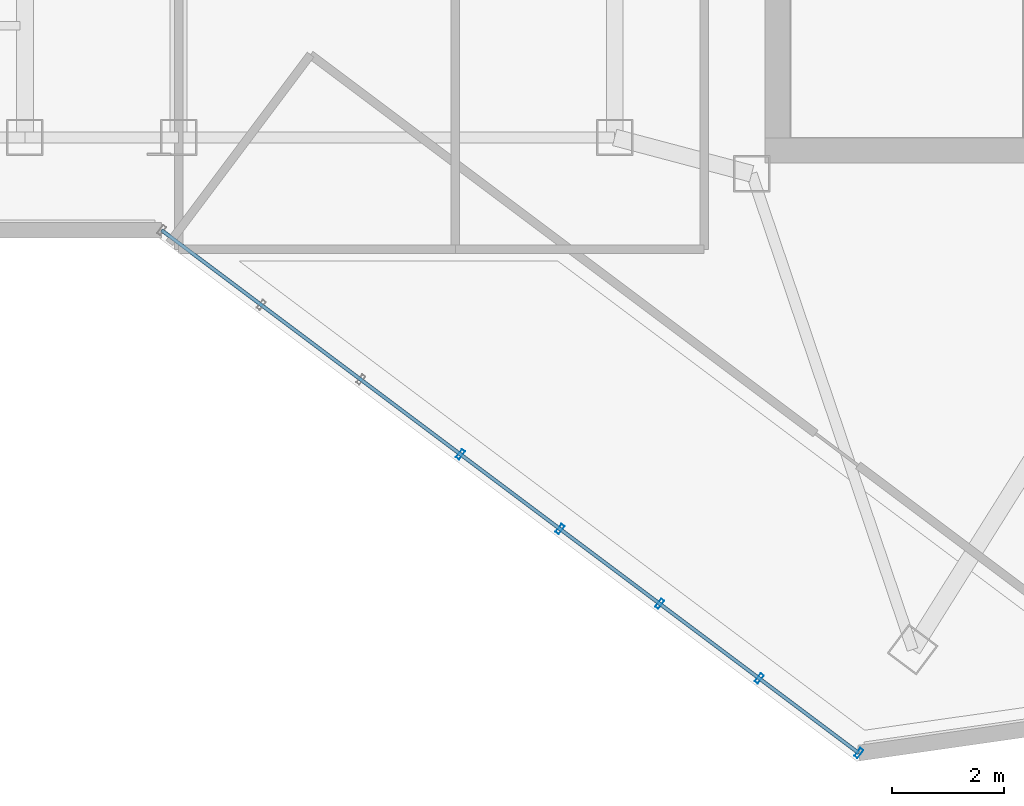
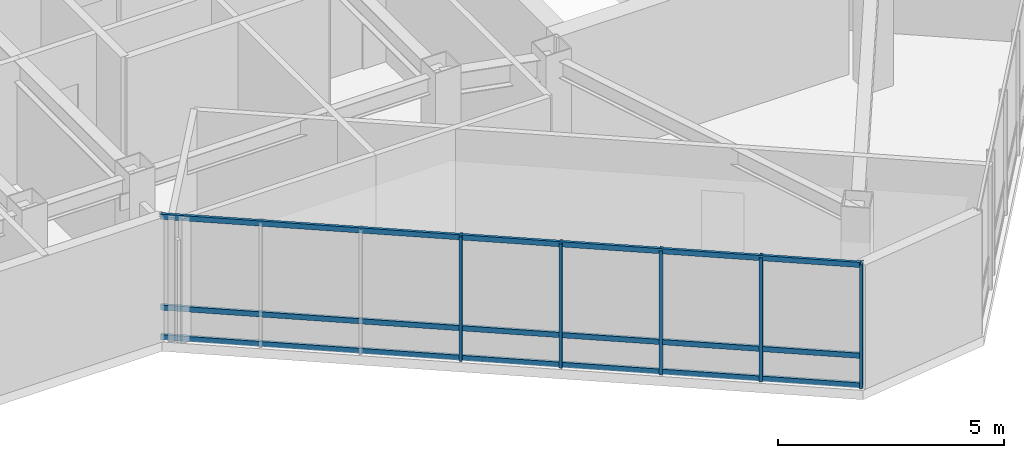
# One storey, part 5 of 21: 8 members, 1 element without a shape of its own.
"""IFC4 building model written with IfcOpenShell, lengths in metres."""

from ifc_helpers import new_model, si_unit, direction, frame, origin, origin_2d, place, context, subcontext, project, spatial, hollow_rectangle, extrude, material, layer, layer_set, material_profile, profile_set, type_object, element, aggregate, save


model = new_model("IFC4")

# Units and contexts
model_context = context("Model", 3, precision=1e-05, world=origin(), true_north=direction((0.0, 1.0)))
body_context = subcontext(model_context, "Body", "Model", "MODEL_VIEW")
ifc_project = project(units=[si_unit("LENGTHUNIT", "METRE"), si_unit("AREAUNIT", "SQUARE_METRE"), si_unit("VOLUMEUNIT", "CUBIC_METRE"), si_unit("PLANEANGLEUNIT", "RADIAN"), si_unit("MASSUNIT", "GRAM", prefix="KILO")], contexts=[model_context])

# Site, building, storey
site_placement = place(None, origin())
site = spatial("IfcSite", under=ifc_project, at=site_placement, CompositionType="ELEMENT")
building_placement = place(site_placement, origin())
building = spatial("IfcBuilding", under=site, at=building_placement, Name="Hatsunagi Terrace Concourse", CompositionType="ELEMENT")
storey_placement = place(building_placement, frame((0.0, 0.0, 246.75)))
storey = spatial("IfcBuildingStorey", under=building, at=storey_placement, Name="L65", CompositionType="ELEMENT", Elevation=246.75)

# Curtain wall, members
ifc_material_1 = material(Name="Anodised Aluminium Alloy 6063-T5", Category="aluminium")
ifc_layer = layer(ifc_material_1, 0.199951171875)
ifc_layer_set = layer_set([ifc_layer], Name="OfficeZone2_CW04")
curtain_wall_type = type_object("IfcCurtainWallType", Name="OfficeZone2_CW04", PredefinedType="NOTDEFINED", material=ifc_layer_set)
curtain_wall_placement = place(storey_placement, origin())
curtain_wall = element("IfcCurtainWall", 1, at=curtain_wall_placement, inside=storey, type_object=curtain_wall_type, Name="Unitised Curtain Wall CW-04 CW-L65-05", PredefinedType="NOTDEFINED")
ifc_material_2 = material(Name="Anodised Aluminium Alloy 6063-T5", Category="aluminium")
ifc_material_profile_1 = material_profile(ifc_material_2, hollow_rectangle(XDim=0.070068359375, YDim=0.179931640625, WallThickness=0.00390625, at=origin_2d()), Name="ALU-MUL-180x70x4")
ifc_profile_set_1 = profile_set([ifc_material_profile_1], Name="Anodised Aluminium Alloy 6063-T5")
member_type_1 = type_object("IfcMemberType", Name="CurtainWallMullion_180x70", PredefinedType="MULLION", material=ifc_profile_set_1)
member_1_placement = place(storey_placement, frame((37.718017578125, 14.18701171875, 0.0), z_axis=(0.0, 0.0, 1.0), x_axis=(-0.800007305671, 0.599990258982, 0.0)))
member_1 = element("IfcMember", 2, at=member_1_placement, type_object=member_type_1, Name="Curtain Wall Mullion MUL-02", PredefinedType="MULLION", context=body_context, shape_type="SweptSolid", body=[
    extrude(hollow_rectangle(XDim=0.070068359375, YDim=0.179931640625, WallThickness=0.00390625, at=origin_2d()), origin(), (0.0, 0.0, 1.0), 3.35009765625),
])
member_2_placement = place(storey_placement, frame((35.93603515625, 15.52294921875, 0.0), z_axis=(0.0, 0.0, 1.0), x_axis=(-0.800007305671, 0.599990258982, 0.0)))
member_2 = element("IfcMember", 3, at=member_2_placement, type_object=member_type_1, Name="Curtain Wall Mullion MUL-02", PredefinedType="MULLION", context=body_context, shape_type="SweptSolid", body=[
    extrude(hollow_rectangle(XDim=0.070068359375, YDim=0.179931640625, WallThickness=0.00390625, at=origin_2d()), origin(), (0.0, 0.0, 1.0), 3.35009765625),
])
member_3_placement = place(storey_placement, frame((34.155029296875, 16.85888671875, 0.0), z_axis=(0.0, 0.0, 1.0), x_axis=(-0.800007305671, 0.599990258982, 0.0)))
member_3 = element("IfcMember", 4, at=member_3_placement, type_object=member_type_1, Name="Curtain Wall Mullion MUL-02", PredefinedType="MULLION", context=body_context, shape_type="SweptSolid", body=[
    extrude(hollow_rectangle(XDim=0.070068359375, YDim=0.179931640625, WallThickness=0.00390625, at=origin_2d()), origin(), (0.0, 0.0, 1.0), 3.35009765625),
])
member_4_placement = place(storey_placement, frame((32.373046875, 18.195068359375, 0.0), z_axis=(0.0, 0.0, 1.0), x_axis=(-0.800007305671, 0.599990258982, 0.0)))
member_4 = element("IfcMember", 5, at=member_4_placement, type_object=member_type_1, Name="Curtain Wall Mullion MUL-02", PredefinedType="MULLION", context=body_context, shape_type="SweptSolid", body=[
    extrude(hollow_rectangle(XDim=0.070068359375, YDim=0.179931640625, WallThickness=0.00390625, at=origin_2d()), origin(), (0.0, 0.0, 1.0), 3.35009765625),
])
member_5_placement = place(storey_placement, frame((30.592041015625, 19.531982421875, 0.0), z_axis=(0.0, 0.0, 1.0), x_axis=(-0.800007305671, 0.599990258982, 0.0)))
member_5 = element("IfcMember", 6, at=member_5_placement, type_object=member_type_1, Name="Curtain Wall Mullion MUL-02", PredefinedType="MULLION", context=body_context, shape_type="SweptSolid", body=[
    extrude(hollow_rectangle(XDim=0.070068359375, YDim=0.179931640625, WallThickness=0.00390625, at=origin_2d()), origin(), (0.0, 0.0, 1.0), 3.35009765625),
])
ifc_material_3 = material(Name="Anodised Aluminium Alloy 6063-T5", Category="aluminium")
ifc_material_profile_2 = material_profile(ifc_material_3, hollow_rectangle(XDim=0.06494140625, YDim=0.139892578125, WallThickness=0.00390625, at=origin_2d()), Name="ALU-TRN-140x65x4")
ifc_profile_set_2 = profile_set([ifc_material_profile_2], Name="Anodised Aluminium Alloy 6063-T5")
member_type_2 = type_object("IfcMemberType", Name="CurtainWallTransom_140x65", PredefinedType="USERDEFINED", material=ifc_profile_set_2)
member_6_placement = place(storey_placement, frame((37.718017578125, 14.18701171875, 0.050048828125), z_axis=(-0.800005638109, 0.599992482448, 0.0), x_axis=(-0.599992482448, -0.800005638109, 0.0)))
member_6 = element("IfcMember", 7, at=member_6_placement, type_object=member_type_2, Name="Curtain Wall Transom TRN-02", ObjectType="TRANSOM", PredefinedType="USERDEFINED", context=body_context, shape_type="SweptSolid", body=[
    extrude(hollow_rectangle(XDim=0.06494140625, YDim=0.139892578125, WallThickness=0.00390625, at=origin_2d()), origin(), (0.0, 0.0, 1.0), 15.588623046875),
])
member_7_placement = place(storey_placement, frame((37.718017578125, 14.18701171875, 0.85009765625), z_axis=(-0.800005638109, 0.599992482448, 0.0), x_axis=(-0.599992482448, -0.800005638109, 0.0)))
member_7 = element("IfcMember", 8, at=member_7_placement, type_object=member_type_2, Name="Curtain Wall Transom TRN-02", ObjectType="TRANSOM", PredefinedType="USERDEFINED", context=body_context, shape_type="SweptSolid", body=[
    extrude(hollow_rectangle(XDim=0.06494140625, YDim=0.139892578125, WallThickness=0.00390625, at=origin_2d()), origin(), (0.0, 0.0, 1.0), 15.588623046875),
])
member_8_placement = place(storey_placement, frame((37.718017578125, 14.18701171875, 3.300048828125), z_axis=(-0.800005638109, 0.599992482448, 0.0), x_axis=(-0.599992482448, -0.800005638109, 0.0)))
member_8 = element("IfcMember", 9, at=member_8_placement, type_object=member_type_2, Name="Curtain Wall Transom TRN-02", ObjectType="TRANSOM", PredefinedType="USERDEFINED", context=body_context, shape_type="SweptSolid", body=[
    extrude(hollow_rectangle(XDim=0.06494140625, YDim=0.139892578125, WallThickness=0.00390625, at=origin_2d()), origin(), (0.0, 0.0, 1.0), 15.588623046875),
])
aggregate(curtain_wall, [member_1, member_2, member_3, member_4, member_5, member_6, member_7, member_8])

save(model, "model.ifc")
